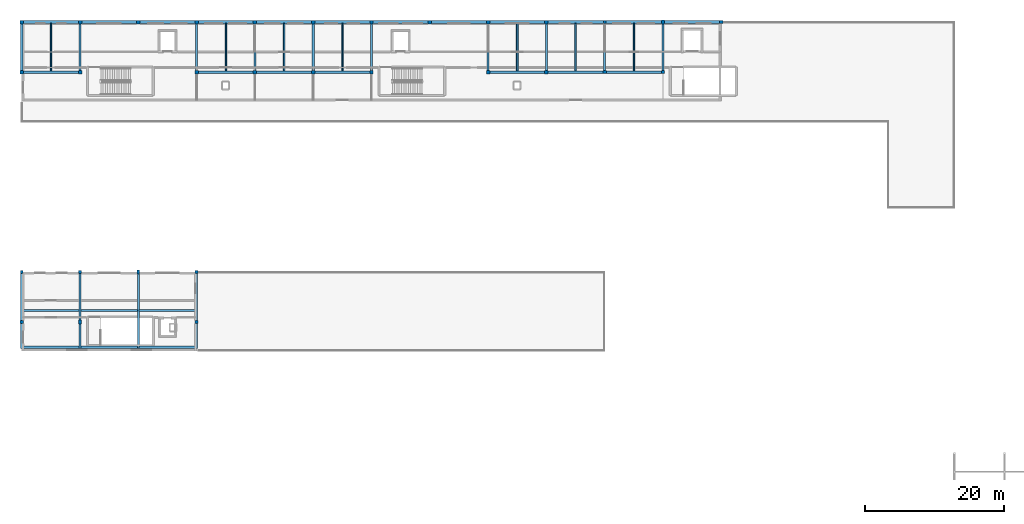
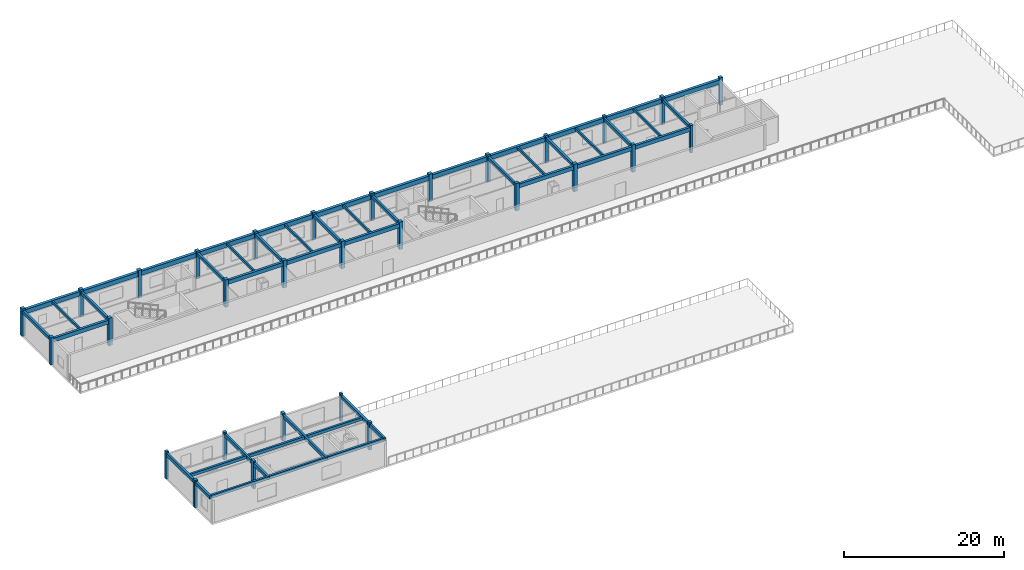
# One storey, part 1 of 14: 46 beams, 30 columns.
"""IFC4 building model written with IfcOpenShell, lengths in metres."""

from ifc_helpers import new_model, si_unit, direction, frame, origin, origin_2d, place, context, subcontext, project, spatial, rectangle, extrude, material, material_profile, profile_set, type_object, element, save


model = new_model("IFC4")

# Units and contexts
model_context = context("Model", 3, precision=1e-05, world=origin(), true_north=direction((0.0, 1.0)))
body_context = subcontext(model_context, "Body", "Model", "MODEL_VIEW")
ifc_project = project(units=[si_unit("LENGTHUNIT", "METRE"), si_unit("AREAUNIT", "SQUARE_METRE"), si_unit("VOLUMEUNIT", "CUBIC_METRE"), si_unit("PLANEANGLEUNIT", "RADIAN"), si_unit("MASSUNIT", "GRAM", prefix="KILO")], contexts=[model_context])

# Site, building, storey
site_placement = place(None, origin())
site = spatial("IfcSite", under=ifc_project, at=site_placement, CompositionType="ELEMENT")
building_placement = place(site_placement, origin())
building = spatial("IfcBuilding", under=site, at=building_placement, Name="Malvenik Polytechnic", CompositionType="ELEMENT")
storey_placement = place(building_placement, frame((0.0, 0.0, 21.89990234375)))
storey = spatial("IfcBuildingStorey", under=building, at=storey_placement, Name="L05", CompositionType="ELEMENT", Elevation=21.89990234375)

# Columns
ifc_material_1 = material(Name="Concrete C35/45", Category="concrete")
ifc_material_profile_1 = material_profile(ifc_material_1, rectangle(XDim=0.5, YDim=0.5, at=origin_2d()), Name="RC COL 500x500")
ifc_profile_set_1 = profile_set([ifc_material_profile_1], Name="Concrete C35/45")
column_type_1 = type_object("IfcColumnType", Name="STR-COL-C-08", PredefinedType="COLUMN", material=ifc_profile_set_1)
for number, where, z_axis, x_axis, name in (
    (1, (0.0, 122.39990234375, 0.0), (0.0, 0.0, 1.0), (1.0, 0.0, 0.0), "Column C-08 L05 (0.0,122.4)"),
    (2, (0.0, 129.60009765625, 0.0), (0.0, 0.0, 1.0), (1.0, 0.0, 0.0), "Column C-08 L05 (0.0,129.6)"),
    (3, (8.39990234375, 122.39990234375, 0.0), (0.0, 0.0, 1.0), (1.0, 0.0, 0.0), "Column C-08 L05 (8.4,122.4)"),
    (4, (8.39990234375, 129.60009765625, 0.0), (0.0, 0.0, 1.0), (1.0, 0.0, 0.0), "Column C-08 L05 (8.4,129.6)"),
    (5, (16.800048828125, 129.60009765625, 0.0), (0.0, 0.0, 1.0), (1.0, 0.0, 0.0), "Column C-08 L05 (16.8,129.6)"),
    (6, (25.199951171875, 122.39990234375, 0.0), (0.0, 0.0, 1.0), (1.0, 0.0, 0.0), "Column C-08 L05 (25.2,122.4)"),
    (7, (25.199951171875, 129.60009765625, 0.0), (0.0, 0.0, 1.0), (1.0, 0.0, 0.0), "Column C-08 L05 (25.2,129.6)"),
    (8, (33.60009765625, 122.39990234375, 0.0), (0.0, 0.0, 1.0), (1.0, 0.0, 0.0), "Column C-08 L05 (33.6,122.4)"),
    (9, (33.60009765625, 129.60009765625, 0.0), (0.0, 0.0, 1.0), (1.0, 0.0, 0.0), "Column C-08 L05 (33.6,129.6)"),
    (10, (42.0, 122.39990234375, 0.0), (0.0, 0.0, 1.0), (1.0, 0.0, 0.0), "Column C-08 L05 (42.0,122.4)"),
    (11, (42.0, 129.60009765625, 0.0), (0.0, 0.0, 1.0), (1.0, 0.0, 0.0), "Column C-08 L05 (42.0,129.6)"),
    (12, (50.39990234375, 122.39990234375, 0.0), (0.0, 0.0, 1.0), (1.0, 0.0, 0.0), "Column C-08 L05 (50.4,122.4)"),
    (13, (50.39990234375, 129.60009765625, 0.0), (0.0, 0.0, 1.0), (1.0, 0.0, 0.0), "Column C-08 L05 (50.4,129.6)"),
    (14, (58.800048828125, 129.60009765625, 0.0), (0.0, 0.0, 1.0), (1.0, 0.0, 0.0), "Column C-08 L05 (58.8,129.6)"),
    (15, (67.199951171875, 122.39990234375, 0.0), (0.0, 0.0, 1.0), (1.0, 0.0, 0.0), "Column C-08 L05 (67.2,122.4)"),
    (16, (67.199951171875, 129.60009765625, 0.0), (0.0, 0.0, 1.0), (1.0, 0.0, 0.0), "Column C-08 L05 (67.2,129.6)"),
    (17, (75.60009765625, 122.39990234375, 0.0), (0.0, 0.0, 1.0), (1.0, 0.0, 0.0), "Column C-08 L05 (75.6,122.4)"),
    (18, (75.60009765625, 129.60009765625, 0.0), (0.0, 0.0, 1.0), (1.0, 0.0, 0.0), "Column C-08 L05 (75.6,129.6)"),
):
    element("IfcColumn", number, at=place(storey_placement, frame(where, z_axis=z_axis, x_axis=x_axis)), inside=storey, type_object=column_type_1, Name=name, PredefinedType="COLUMN", context=body_context, shape_type="SweptSolid", body=[
        extrude(rectangle(XDim=0.5, YDim=0.5, at=origin_2d()), origin(), (0.0, 0.0, 1.0), 4.2001953125),
    ])
ifc_material_profile_2 = material_profile(ifc_material_1, rectangle(XDim=0.449951171875, YDim=0.449951171875, at=origin_2d()), Name="RC COL 450x450")
ifc_profile_set_2 = profile_set([ifc_material_profile_2], Name="Concrete C35/45")
column_type_2 = type_object("IfcColumnType", Name="STR-COL-C-09", PredefinedType="COLUMN", material=ifc_profile_set_2)
for number, where, z_axis, x_axis, name in (
    (19, (0.0, 86.39990234375, 0.0), (0.0, 0.0, 1.0), (1.0, 0.0, 0.0), "Column C-09 L05 (0.0,86.4)"),
    (20, (8.39990234375, 93.60009765625, 0.0), (0.0, 0.0, 1.0), (1.0, 0.0, 0.0), "Column C-09 L05 (8.4,93.6)"),
    (21, (25.199951171875, 86.39990234375, 0.0), (0.0, 0.0, 1.0), (1.0, 0.0, 0.0), "Column C-09 L05 (25.2,86.4)"),
    (22, (84.0, 122.39990234375, 0.0), (0.0, 0.0, 1.0), (1.0, 0.0, 0.0), "Column C-09 L05 (84.0,122.4)"),
    (23, (100.800048828125, 129.60009765625, 0.0), (0.0, 0.0, 1.0), (1.0, 0.0, 0.0), "Column C-09 L05 (100.8,129.6)"),
):
    element("IfcColumn", number, at=place(storey_placement, frame(where, z_axis=z_axis, x_axis=x_axis)), inside=storey, type_object=column_type_2, Name=name, PredefinedType="COLUMN", context=body_context, shape_type="SweptSolid", body=[
        extrude(rectangle(XDim=0.449951171875, YDim=0.449951171875, at=origin_2d()), origin(), (0.0, 0.0, 1.0), 4.2001953125),
    ])
ifc_material_2 = material(Name="Concrete C30/37", Category="concrete")
ifc_material_profile_3 = material_profile(ifc_material_2, rectangle(XDim=0.39990234375, YDim=0.39990234375, at=origin_2d()), Name="RC COL 400x400")
ifc_profile_set_3 = profile_set([ifc_material_profile_3], Name="Concrete C30/37")
column_type_3 = type_object("IfcColumnType", Name="STR-COL-C-10", PredefinedType="COLUMN", material=ifc_profile_set_3)
for number, where, z_axis, x_axis, name in (
    (24, (0.0, 93.60009765625, 0.0), (0.0, 0.0, 1.0), (1.0, 0.0, 0.0), "Column C-10 L05 (0.0,93.6)"),
    (25, (25.199951171875, 93.60009765625, 0.0), (0.0, 0.0, 1.0), (1.0, 0.0, 0.0), "Column C-10 L05 (25.2,93.6)"),
    (26, (84.0, 129.60009765625, 0.0), (0.0, 0.0, 1.0), (1.0, 0.0, 0.0), "Column C-10 L05 (84.0,129.6)"),
    (27, (92.39990234375, 122.39990234375, 0.0), (0.0, 0.0, 1.0), (1.0, 0.0, 0.0), "Column C-10 L05 (92.4,122.4)"),
):
    element("IfcColumn", number, at=place(storey_placement, frame(where, z_axis=z_axis, x_axis=x_axis)), inside=storey, type_object=column_type_3, Name=name, PredefinedType="COLUMN", context=body_context, shape_type="SweptSolid", body=[
        extrude(rectangle(XDim=0.39990234375, YDim=0.39990234375, at=origin_2d()), origin(), (0.0, 0.0, 1.0), 4.2001953125),
    ])
ifc_material_profile_4 = material_profile(ifc_material_1, rectangle(XDim=0.39990234375, YDim=0.60009765625, at=origin_2d()), Name="RC COL 600x400")
ifc_profile_set_4 = profile_set([ifc_material_profile_4], Name="Concrete C35/45")
column_type_4 = type_object("IfcColumnType", Name="STR-COL-C-15", PredefinedType="COLUMN", material=ifc_profile_set_4)
for number, where, z_axis, x_axis, name in (
    (28, (8.39990234375, 86.39990234375, 0.0), (0.0, 0.0, 1.0), (1.0, 0.0, 0.0), "Column C-15 L05 (8.4,86.4)"),
    (29, (16.800048828125, 93.60009765625, 0.0), (0.0, 0.0, 1.0), (1.0, 0.0, 0.0), "Column C-15 L05 (16.8,93.6)"),
    (30, (92.39990234375, 129.60009765625, 0.0), (0.0, 0.0, 1.0), (1.0, 0.0, 0.0), "Column C-15 L05 (92.4,129.6)"),
):
    element("IfcColumn", number, at=place(storey_placement, frame(where, z_axis=z_axis, x_axis=x_axis)), inside=storey, type_object=column_type_4, Name=name, PredefinedType="COLUMN", context=body_context, shape_type="SweptSolid", body=[
        extrude(rectangle(XDim=0.39990234375, YDim=0.60009765625, at=origin_2d()), origin(), (0.0, 0.0, 1.0), 4.2001953125),
    ])

# Beams
ifc_material_profile_5 = material_profile(ifc_material_1, rectangle(XDim=0.35009765625, YDim=0.60009765625, at=origin_2d()), Name="RC BM 350x600")
ifc_profile_set_5 = profile_set([ifc_material_profile_5], Name="Concrete C35/45")
beam_type_1 = type_object("IfcBeamType", Name="STR-BM-B-07", PredefinedType="BEAM", material=ifc_profile_set_5)
for number, where, z_axis, x_axis, name in (
    (31, (0.248046875, 122.39990234375, 3.6201171875), (1.0, 0.0, 0.0), (0.0, 1.0, 0.0), "Primary Beam B-07 L05 #1946"),
    (32, (25.447998046875, 122.39990234375, 3.6201171875), (1.0, 0.0, 0.0), (0.0, 1.0, 0.0), "Primary Beam B-07 L05 #1947"),
    (33, (33.847900390625, 122.39990234375, 3.6201171875), (1.0, 0.0, 0.0), (0.0, 1.0, 0.0), "Primary Beam B-07 L05 #1948"),
    (34, (42.248046875, 122.39990234375, 3.6201171875), (1.0, 0.0, 0.0), (0.0, 1.0, 0.0), "Primary Beam B-07 L05 #1949"),
    (35, (67.447998046875, 122.39990234375, 3.6201171875), (1.0, 0.0, 0.0), (0.0, 1.0, 0.0), "Primary Beam B-07 L05 #1950"),
):
    element("IfcBeam", number, at=place(storey_placement, frame(where, z_axis=z_axis, x_axis=x_axis)), inside=storey, type_object=beam_type_1, Name=name, PredefinedType="BEAM", context=body_context, shape_type="SweptSolid", body=[
        extrude(rectangle(XDim=0.35009765625, YDim=0.60009765625, at=origin_2d()), origin(), (0.0, 0.0, 1.0), 7.904052734375),
    ])
beam_1_placement = place(storey_placement, frame((75.847900390625, 122.39990234375, 3.6201171875), z_axis=(1.0, 0.0, 0.0), x_axis=(0.0, 1.0, 0.0)))
element("IfcBeam", 36, at=beam_1_placement, inside=storey, type_object=beam_type_1, Name="Primary Beam B-07 L05 #1951", PredefinedType="BEAM", context=body_context, shape_type="SweptSolid", body=[
    extrude(rectangle(XDim=0.35009765625, YDim=0.60009765625, at=origin_2d()), origin(), (0.0, 0.0, 1.0), 7.92919921875),
])
beam_2_placement = place(storey_placement, frame((84.222900390625, 122.39990234375, 3.6201171875), z_axis=(1.0, 0.0, 0.0), x_axis=(0.0, 1.0, 0.0)))
element("IfcBeam", 37, at=beam_2_placement, inside=storey, type_object=beam_type_1, Name="Primary Beam B-07 L05 #1952", PredefinedType="BEAM", context=body_context, shape_type="SweptSolid", body=[
    extrude(rectangle(XDim=0.35009765625, YDim=0.60009765625, at=origin_2d()), origin(), (0.0, 0.0, 1.0), 7.97900390625),
])
ifc_material_profile_6 = material_profile(ifc_material_2, rectangle(XDim=0.300048828125, YDim=0.5, at=origin_2d()), Name="RC BM 300x500")
ifc_profile_set_6 = profile_set([ifc_material_profile_6], Name="Concrete C30/37")
beam_type_2 = type_object("IfcBeamType", Name="STR-BM-B-09", PredefinedType="BEAM", material=ifc_profile_set_6)
for number, where, z_axis, x_axis, name in (
    (38, (0.0, 82.60009765625, 3.735107421875), (0.0, 1.0, 0.0), (-1.0, 0.0, 0.0), "North-Light Monitor Support Girder X=0.0"),
    (39, (8.39990234375, 82.60009765625, 3.735107421875), (0.0, 1.0, 0.0), (-1.0, 0.0, 0.0), "North-Light Monitor Support Girder X=8.4"),
    (40, (16.800048828125, 82.60009765625, 3.735107421875), (0.0, 1.0, 0.0), (-1.0, 0.0, 0.0), "North-Light Monitor Support Girder X=16.8"),
    (41, (25.199951171875, 82.60009765625, 3.735107421875), (0.0, 1.0, 0.0), (-1.0, 0.0, 0.0), "North-Light Monitor Support Girder X=25.2"),
):
    element("IfcBeam", number, at=place(storey_placement, frame(where, z_axis=z_axis, x_axis=x_axis)), inside=storey, type_object=beam_type_2, Name=name, PredefinedType="BEAM", context=body_context, shape_type="SweptSolid", body=[
        extrude(rectangle(XDim=0.300048828125, YDim=0.5, at=origin_2d()), origin(), (0.0, 0.0, 1.0), 10.7998046875),
    ])
ifc_material_profile_7 = material_profile(ifc_material_2, rectangle(XDim=0.300048828125, YDim=0.449951171875, at=origin_2d()), Name="RC BM 300x450")
ifc_profile_set_7 = profile_set([ifc_material_profile_7], Name="Concrete C30/37")
beam_type_3 = type_object("IfcBeamType", Name="STR-BM-B-10", PredefinedType="BEAM", material=ifc_profile_set_7)
for number, where, z_axis, x_axis, name in (
    (42, (0.0, 122.64794921875, 3.695068359375), (0.0, 1.0, 0.0), (-1.0, 0.0, 0.0), "Transverse Beam B-10 L05 #1965"),
    (43, (8.39990234375, 122.64794921875, 3.695068359375), (0.0, 1.0, 0.0), (-1.0, 0.0, 0.0), "Transverse Beam B-10 L05 #1966"),
    (44, (25.199951171875, 122.64794921875, 3.695068359375), (0.0, 1.0, 0.0), (-1.0, 0.0, 0.0), "Transverse Beam B-10 L05 #1967"),
    (45, (33.60009765625, 122.64794921875, 3.695068359375), (0.0, 1.0, 0.0), (-1.0, 0.0, 0.0), "Transverse Beam B-10 L05 #1968"),
    (46, (42.0, 122.64794921875, 3.695068359375), (0.0, 1.0, 0.0), (-1.0, 0.0, 0.0), "Transverse Beam B-10 L05 #1969"),
    (47, (50.39990234375, 122.64794921875, 3.695068359375), (0.0, 1.0, 0.0), (-1.0, 0.0, 0.0), "Transverse Beam B-10 L05 #1970"),
    (48, (67.199951171875, 122.64794921875, 3.695068359375), (0.0, 1.0, 0.0), (-1.0, 0.0, 0.0), "Transverse Beam B-10 L05 #1971"),
    (49, (75.60009765625, 122.64794921875, 3.695068359375), (0.0, 1.0, 0.0), (-1.0, 0.0, 0.0), "Transverse Beam B-10 L05 #1972"),
):
    element("IfcBeam", number, at=place(storey_placement, frame(where, z_axis=z_axis, x_axis=x_axis)), inside=storey, type_object=beam_type_3, Name=name, PredefinedType="BEAM", context=body_context, shape_type="SweptSolid", body=[
        extrude(rectangle(XDim=0.300048828125, YDim=0.449951171875, at=origin_2d()), origin(), (0.0, 0.0, 1.0), 6.7041015625),
    ])
beam_3_placement = place(storey_placement, frame((84.0, 122.623046875, 3.695068359375), z_axis=(0.0, 1.0, 0.0), x_axis=(-1.0, 0.0, 0.0)))
element("IfcBeam", 50, at=beam_3_placement, inside=storey, type_object=beam_type_3, Name="Transverse Beam B-10 L05 #1973", PredefinedType="BEAM", context=body_context, shape_type="SweptSolid", body=[
    extrude(rectangle(XDim=0.300048828125, YDim=0.449951171875, at=origin_2d()), origin(), (0.0, 0.0, 1.0), 6.779052734375),
])
beam_4_placement = place(storey_placement, frame((92.39990234375, 122.597900390625, 3.695068359375), z_axis=(0.0, 1.0, 0.0), x_axis=(-1.0, 0.0, 0.0)))
element("IfcBeam", 51, at=beam_4_placement, inside=storey, type_object=beam_type_3, Name="Transverse Beam B-10 L05 #1974", PredefinedType="BEAM", context=body_context, shape_type="SweptSolid", body=[
    extrude(rectangle(XDim=0.300048828125, YDim=0.449951171875, at=origin_2d()), origin(), (0.0, 0.0, 1.0), 6.7041015625),
])
for number, where, z_axis, x_axis, name in (
    (52, (0.1201171875, 82.75, 3.760009765625), (1.0, 0.0, 0.0), (0.0, 1.0, 0.0), "North-Light Monitor Eaves Beam 1 Y=82.75"),
    (53, (0.1201171875, 88.050048828125, 3.760009765625), (1.0, 0.0, 0.0), (0.0, 1.0, 0.0), "North-Light Monitor Eaves Beam 1 Y=88.05"),
    (54, (8.52001953125, 82.75, 3.760009765625), (1.0, 0.0, 0.0), (0.0, 1.0, 0.0), "North-Light Monitor Eaves Beam 2 Y=82.75"),
    (55, (8.52001953125, 88.050048828125, 3.760009765625), (1.0, 0.0, 0.0), (0.0, 1.0, 0.0), "North-Light Monitor Eaves Beam 2 Y=88.05"),
):
    element("IfcBeam", number, at=place(storey_placement, frame(where, z_axis=z_axis, x_axis=x_axis)), inside=storey, type_object=beam_type_3, Name=name, PredefinedType="BEAM", context=body_context, shape_type="SweptSolid", body=[
        extrude(rectangle(XDim=0.300048828125, YDim=0.449951171875, at=origin_2d()), origin(), (0.0, 0.0, 1.0), 8.159912109375),
    ])
for number, where, z_axis, x_axis, name in (
    (56, (16.919921875, 82.75, 3.760009765625), (1.0, 0.0, 0.0), (0.0, 1.0, 0.0), "North-Light Monitor Eaves Beam 3 Y=82.75"),
    (57, (16.919921875, 88.050048828125, 3.760009765625), (1.0, 0.0, 0.0), (0.0, 1.0, 0.0), "North-Light Monitor Eaves Beam 3 Y=88.05"),
):
    element("IfcBeam", number, at=place(storey_placement, frame(where, z_axis=z_axis, x_axis=x_axis)), inside=storey, type_object=beam_type_3, Name=name, PredefinedType="BEAM", context=body_context, shape_type="SweptSolid", body=[
        extrude(rectangle(XDim=0.300048828125, YDim=0.449951171875, at=origin_2d()), origin(), (0.0, 0.0, 1.0), 8.16015625),
    ])
ifc_material_profile_8 = material_profile(ifc_material_2, rectangle(XDim=0.219970703125, YDim=0.3798828125, at=origin_2d()), Name="RC JST 220x380")
ifc_profile_set_8 = profile_set([ifc_material_profile_8], Name="Concrete C30/37")
beam_type_4 = type_object("IfcBeamType", Name="STR-BM-J-04", PredefinedType="JOIST", material=ifc_profile_set_8)
for number, where, z_axis, x_axis, name in (
    (58, (4.199951171875, 122.572998046875, 3.72998046875), (0.0, 1.0, 0.0), (-1.0, 0.0, 0.0), "Secondary Rib Joist J-04 L05 #1975"),
    (59, (29.39990234375, 122.572998046875, 3.72998046875), (0.0, 1.0, 0.0), (-1.0, 0.0, 0.0), "Secondary Rib Joist J-04 L05 #1976"),
    (60, (37.800048828125, 122.572998046875, 3.72998046875), (0.0, 1.0, 0.0), (-1.0, 0.0, 0.0), "Secondary Rib Joist J-04 L05 #1977"),
    (61, (46.199951171875, 122.572998046875, 3.72998046875), (0.0, 1.0, 0.0), (-1.0, 0.0, 0.0), "Secondary Rib Joist J-04 L05 #1978"),
    (62, (71.39990234375, 122.572998046875, 3.72998046875), (0.0, 1.0, 0.0), (-1.0, 0.0, 0.0), "Secondary Rib Joist J-04 L05 #1979"),
    (63, (79.800048828125, 122.572998046875, 3.72998046875), (0.0, 1.0, 0.0), (-1.0, 0.0, 0.0), "Secondary Rib Joist J-04 L05 #1980"),
    (64, (88.199951171875, 122.572998046875, 3.72998046875), (0.0, 1.0, 0.0), (-1.0, 0.0, 0.0), "Secondary Rib Joist J-04 L05 #1981"),
):
    element("IfcBeam", number, at=place(storey_placement, frame(where, z_axis=z_axis, x_axis=x_axis)), inside=storey, type_object=beam_type_4, Name=name, PredefinedType="JOIST", context=body_context, shape_type="SweptSolid", body=[
        extrude(rectangle(XDim=0.219970703125, YDim=0.3798828125, at=origin_2d()), origin(), (0.0, 0.0, 1.0), 6.8291015625),
    ])
ifc_material_3 = material(Name="Precast concrete C40/50", Category="concrete")
ifc_material_profile_9 = material_profile(ifc_material_3, rectangle(XDim=0.39990234375, YDim=0.659912109375, at=origin_2d()), Name="PC SPN 400x660")
ifc_profile_set_9 = profile_set([ifc_material_profile_9], Name="Precast concrete C40/50")
beam_type_5 = type_object("IfcBeamType", Name="STR-BM-SP-03", PredefinedType="SPANDREL", material=ifc_profile_set_9)
for number, where, z_axis, x_axis, name in (
    (65, (0.248046875, 129.60009765625, 3.590087890625), (1.0, 0.0, 0.0), (0.0, 1.0, 0.0), "Primary Beam SP-03 L05 #1953"),
    (66, (8.64794921875, 129.60009765625, 3.590087890625), (1.0, 0.0, 0.0), (0.0, 1.0, 0.0), "Primary Beam SP-03 L05 #1954"),
):
    element("IfcBeam", number, at=place(storey_placement, frame(where, z_axis=z_axis, x_axis=x_axis)), inside=storey, type_object=beam_type_5, Name=name, PredefinedType="SPANDREL", context=body_context, shape_type="SweptSolid", body=[
        extrude(rectangle(XDim=0.39990234375, YDim=0.659912109375, at=origin_2d()), origin(), (0.0, 0.0, 1.0), 7.904052734375),
    ])
beam_5_placement = place(storey_placement, frame((17.048095703125, 129.60009765625, 3.590087890625), z_axis=(1.0, 0.0, 0.0), x_axis=(0.0, 1.0, 0.0)))
element("IfcBeam", 67, at=beam_5_placement, inside=storey, type_object=beam_type_5, Name="Primary Beam SP-03 L05 #1955", PredefinedType="SPANDREL", context=body_context, shape_type="SweptSolid", body=[
    extrude(rectangle(XDim=0.39990234375, YDim=0.659912109375, at=origin_2d()), origin(), (0.0, 0.0, 1.0), 7.90380859375),
])
for number, where, z_axis, x_axis, name in (
    (68, (25.447998046875, 129.60009765625, 3.590087890625), (1.0, 0.0, 0.0), (0.0, 1.0, 0.0), "Primary Beam SP-03 L05 #1956"),
    (69, (33.847900390625, 129.60009765625, 3.590087890625), (1.0, 0.0, 0.0), (0.0, 1.0, 0.0), "Primary Beam SP-03 L05 #1957"),
    (70, (42.248046875, 129.60009765625, 3.590087890625), (1.0, 0.0, 0.0), (0.0, 1.0, 0.0), "Primary Beam SP-03 L05 #1958"),
    (71, (50.64794921875, 129.60009765625, 3.590087890625), (1.0, 0.0, 0.0), (0.0, 1.0, 0.0), "Primary Beam SP-03 L05 #1959"),
):
    element("IfcBeam", number, at=place(storey_placement, frame(where, z_axis=z_axis, x_axis=x_axis)), inside=storey, type_object=beam_type_5, Name=name, PredefinedType="SPANDREL", context=body_context, shape_type="SweptSolid", body=[
        extrude(rectangle(XDim=0.39990234375, YDim=0.659912109375, at=origin_2d()), origin(), (0.0, 0.0, 1.0), 7.904052734375),
    ])
beam_6_placement = place(storey_placement, frame((59.048095703125, 129.60009765625, 3.590087890625), z_axis=(1.0, 0.0, 0.0), x_axis=(0.0, 1.0, 0.0)))
element("IfcBeam", 72, at=beam_6_placement, inside=storey, type_object=beam_type_5, Name="Primary Beam SP-03 L05 #1960", PredefinedType="SPANDREL", context=body_context, shape_type="SweptSolid", body=[
    extrude(rectangle(XDim=0.39990234375, YDim=0.659912109375, at=origin_2d()), origin(), (0.0, 0.0, 1.0), 7.90380859375),
])
beam_7_placement = place(storey_placement, frame((67.447998046875, 129.60009765625, 3.590087890625), z_axis=(1.0, 0.0, 0.0), x_axis=(0.0, 1.0, 0.0)))
element("IfcBeam", 73, at=beam_7_placement, inside=storey, type_object=beam_type_5, Name="Primary Beam SP-03 L05 #1961", PredefinedType="SPANDREL", context=body_context, shape_type="SweptSolid", body=[
    extrude(rectangle(XDim=0.39990234375, YDim=0.659912109375, at=origin_2d()), origin(), (0.0, 0.0, 1.0), 7.904052734375),
])
beam_8_placement = place(storey_placement, frame((75.847900390625, 129.60009765625, 3.590087890625), z_axis=(1.0, 0.0, 0.0), x_axis=(0.0, 1.0, 0.0)))
element("IfcBeam", 74, at=beam_8_placement, inside=storey, type_object=beam_type_5, Name="Primary Beam SP-03 L05 #1962", PredefinedType="SPANDREL", context=body_context, shape_type="SweptSolid", body=[
    extrude(rectangle(XDim=0.39990234375, YDim=0.659912109375, at=origin_2d()), origin(), (0.0, 0.0, 1.0), 7.9541015625),
])
beam_9_placement = place(storey_placement, frame((84.197998046875, 129.60009765625, 3.590087890625), z_axis=(1.0, 0.0, 0.0), x_axis=(0.0, 1.0, 0.0)))
element("IfcBeam", 75, at=beam_9_placement, inside=storey, type_object=beam_type_5, Name="Primary Beam SP-03 L05 #1963", PredefinedType="SPANDREL", context=body_context, shape_type="SweptSolid", body=[
    extrude(rectangle(XDim=0.39990234375, YDim=0.659912109375, at=origin_2d()), origin(), (0.0, 0.0, 1.0), 8.00390625),
])
beam_10_placement = place(storey_placement, frame((92.597900390625, 129.60009765625, 3.590087890625), z_axis=(1.0, 0.0, 0.0), x_axis=(0.0, 1.0, 0.0)))
element("IfcBeam", 76, at=beam_10_placement, inside=storey, type_object=beam_type_5, Name="Primary Beam SP-03 L05 #1964", PredefinedType="SPANDREL", context=body_context, shape_type="SweptSolid", body=[
    extrude(rectangle(XDim=0.39990234375, YDim=0.659912109375, at=origin_2d()), origin(), (0.0, 0.0, 1.0), 7.97900390625),
])

save(model, "model.ifc")
